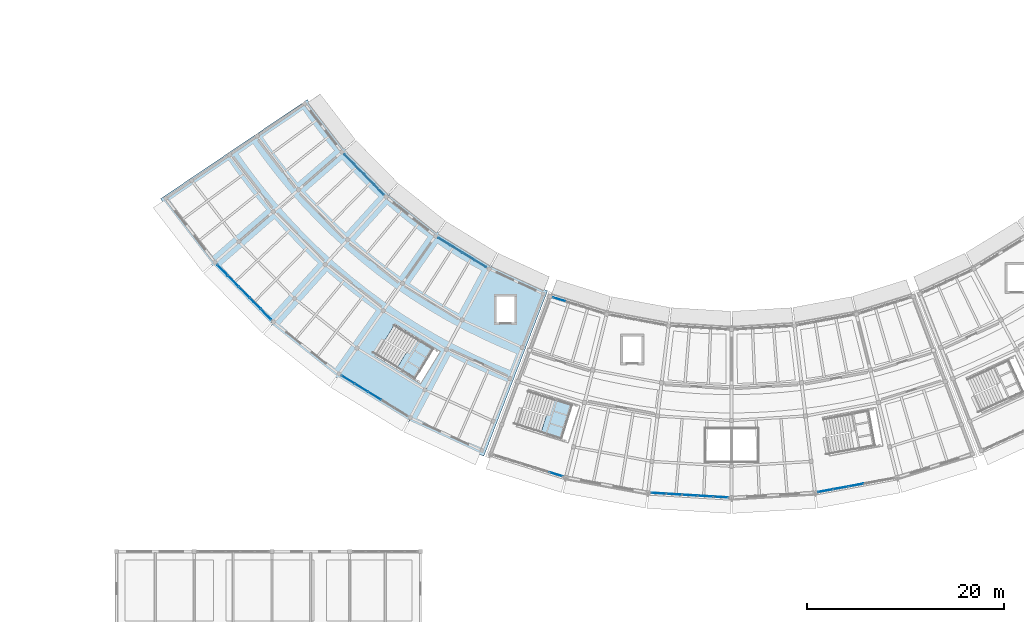
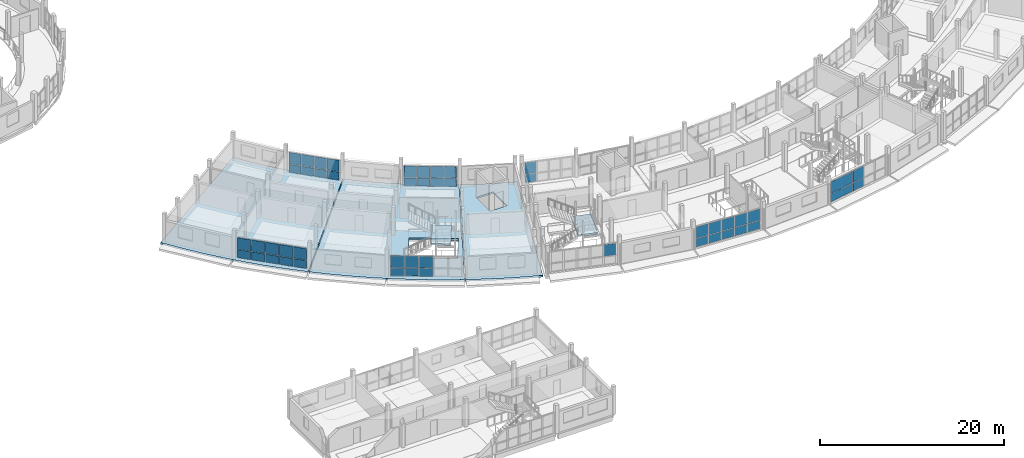
# One storey, part 46 of 77: 51 plates, 5 slabs, 10 elements without a shape of their own.
"""IFC4 building model written with IfcOpenShell, lengths in metres."""

from ifc_helpers import new_model, si_unit, direction, frame, origin, origin_2d, place, context, subcontext, project, spatial, polyline, rectangle, outline, extrude, material, layer, layer_set, type_object, element, aggregate, save


model = new_model("IFC4")

# Units and contexts
model_context = context("Model", 3, precision=1e-05, world=origin(), true_north=direction((0.0, 1.0)))
body_context = subcontext(model_context, "Body", "Model", "MODEL_VIEW")
ifc_project = project(units=[si_unit("LENGTHUNIT", "METRE"), si_unit("AREAUNIT", "SQUARE_METRE"), si_unit("VOLUMEUNIT", "CUBIC_METRE"), si_unit("PLANEANGLEUNIT", "RADIAN"), si_unit("MASSUNIT", "GRAM", prefix="KILO")], contexts=[model_context])

# Site, building, storey
site_placement = place(None, origin())
site = spatial("IfcSite", under=ifc_project, at=site_placement, CompositionType="ELEMENT")
building_placement = place(site_placement, origin())
building = spatial("IfcBuilding", under=site, at=building_placement, Name="Caldaven Crescent School", CompositionType="ELEMENT")
storey_placement = place(building_placement, frame((0.0, 0.0, 4.419921875)))
storey = spatial("IfcBuildingStorey", under=building, at=storey_placement, Name="L01", CompositionType="ELEMENT", Elevation=4.419921875)

# Curtain wall, plates
ifc_material_1 = material(Name="Anodised aluminium AA 6063-T6 and low-E double glazing", Category="aluminium")
ifc_layer_1 = layer(ifc_material_1, 0.2099609375)
ifc_layer_set_1 = layer_set([ifc_layer_1], Name="Anodised aluminium AA 6063-T6 and low-E double glazing")
curtain_wall_type_1 = type_object("IfcCurtainWallType", Name="CW-SYS3", PredefinedType="NOTDEFINED", material=ifc_layer_set_1)
curtain_wall_1_placement = place(storey_placement, origin())
curtain_wall_1 = element("IfcCurtainWall", 1, at=curtain_wall_1_placement, inside=storey, type_object=curtain_wall_type_1, Name="CW-L01-120", PredefinedType="NOTDEFINED")
ifc_material_2 = material(Name="Tempered low-E double glazing IGU", Category="glass")
ifc_layer_2 = layer(ifc_material_2, 0.02587890625)
ifc_layer_set_2 = layer_set([ifc_layer_2], Name="Tempered low-E double glazing IGU")
plate_type_1 = type_object("IfcPlateType", Name="PLT-CWP01", PredefinedType="CURTAIN_PANEL", material=ifc_layer_set_2)
plate_1_placement = place(storey_placement, frame((49.04931640625, 38.450927734375, 0.06005859375), z_axis=(0.0, 0.0, 1.0), x_axis=(0.852639676124, -0.522499361435, 0.0)))
plate_1 = element("IfcPlate", 2, at=plate_1_placement, type_object=plate_type_1, Name="CW3 panel 1.1", PredefinedType="CURTAIN_PANEL", context=body_context, shape_type="SweptSolid", body=[
    extrude(rectangle(XDim=1.48828125, YDim=0.02587890625, at=origin_2d()), origin(), (0.0, 0.0, 1.0), 1.077880859375),
])
plate_2_placement = place(storey_placement, frame((49.04931640625, 38.450927734375, 1.197998046875), z_axis=(0.0, 0.0, 1.0), x_axis=(0.852639676124, -0.522499361435, 0.0)))
plate_2 = element("IfcPlate", 3, at=plate_2_placement, type_object=plate_type_1, Name="CW3 panel 1.2", PredefinedType="CURTAIN_PANEL", context=body_context, shape_type="SweptSolid", body=[
    extrude(rectangle(XDim=1.48828125, YDim=0.02587890625, at=origin_2d()), origin(), (0.0, 0.0, 1.0), 1.52197265625),
])
plate_3_placement = place(storey_placement, frame((50.38232421875, 37.63427734375, 0.06005859375), z_axis=(0.0, 0.0, 1.0), x_axis=(0.852639676124, -0.522499361435, 0.0)))
plate_3 = element("IfcPlate", 4, at=plate_3_placement, type_object=plate_type_1, Name="CW3 panel 2.1", PredefinedType="CURTAIN_PANEL", context=body_context, shape_type="SweptSolid", body=[
    extrude(rectangle(XDim=1.518310546875, YDim=0.02587890625, at=origin_2d()), origin(), (0.0, 0.0, 1.0), 1.077880859375),
])
plate_4_placement = place(storey_placement, frame((50.38232421875, 37.63427734375, 1.197998046875), z_axis=(0.0, 0.0, 1.0), x_axis=(0.852639676124, -0.522499361435, 0.0)))
plate_4 = element("IfcPlate", 5, at=plate_4_placement, type_object=plate_type_1, Name="CW3 panel 2.2", PredefinedType="CURTAIN_PANEL", context=body_context, shape_type="SweptSolid", body=[
    extrude(rectangle(XDim=1.518310546875, YDim=0.02587890625, at=origin_2d()), origin(), (0.0, 0.0, 1.0), 1.52197265625),
])
plate_5_placement = place(storey_placement, frame((51.72802734375, 36.8095703125, 0.06005859375), z_axis=(0.0, 0.0, 1.0), x_axis=(0.852639676124, -0.522499361435, 0.0)))
plate_5 = element("IfcPlate", 6, at=plate_5_placement, type_object=plate_type_1, Name="CW3 panel 3.1", PredefinedType="CURTAIN_PANEL", context=body_context, shape_type="SweptSolid", body=[
    extrude(rectangle(XDim=1.518310546875, YDim=0.02587890625, at=origin_2d()), origin(), (0.0, 0.0, 1.0), 1.077880859375),
])
plate_6_placement = place(storey_placement, frame((51.72802734375, 36.8095703125, 1.197998046875), z_axis=(0.0, 0.0, 1.0), x_axis=(0.852639676124, -0.522499361435, 0.0)))
plate_6 = element("IfcPlate", 7, at=plate_6_placement, type_object=plate_type_1, Name="CW3 panel 3.2", PredefinedType="CURTAIN_PANEL", context=body_context, shape_type="SweptSolid", body=[
    extrude(rectangle(XDim=1.518310546875, YDim=0.02587890625, at=origin_2d()), origin(), (0.0, 0.0, 1.0), 1.52197265625),
])
aggregate(curtain_wall_1, [plate_1, plate_2, plate_3, plate_4, plate_5, plate_6])

curtain_wall_2_placement = place(storey_placement, origin())
curtain_wall_2 = element("IfcCurtainWall", 8, at=curtain_wall_2_placement, inside=storey, type_object=curtain_wall_type_1, Name="CW-L01-121", PredefinedType="NOTDEFINED")
ifc_layer_3 = layer(ifc_material_2, 0.028076171875)
ifc_layer_set_3 = layer_set([ifc_layer_3], Name="Tempered low-E double glazing IGU")
plate_type_2 = type_object("IfcPlateType", Name="PLT-CWP02", PredefinedType="CURTAIN_PANEL", material=ifc_layer_set_3)
plate_7_placement = place(storey_placement, frame((70.49169921875, 46.609375, 0.06005859375), z_axis=(0.0, 0.0, 1.0), x_axis=(0.954746818344, -0.297419758694, 0.0)))
plate_7 = element("IfcPlate", 9, at=plate_7_placement, type_object=plate_type_2, Name="CW3 panel 1.1", PredefinedType="CURTAIN_PANEL", context=body_context, shape_type="SweptSolid", body=[
    extrude(rectangle(XDim=1.270751953125, YDim=0.028076171875, at=origin_2d()), origin(), (0.0, 0.0, 1.0), 1.077880859375),
])
plate_8_placement = place(storey_placement, frame((70.49169921875, 46.609375, 1.197998046875), z_axis=(0.0, 0.0, 1.0), x_axis=(0.954746818344, -0.297419758694, 0.0)))
plate_8 = element("IfcPlate", 10, at=plate_8_placement, type_object=plate_type_2, Name="CW3 panel 1.2", PredefinedType="CURTAIN_PANEL", context=body_context, shape_type="SweptSolid", body=[
    extrude(rectangle(XDim=1.270751953125, YDim=0.028076171875, at=origin_2d()), origin(), (0.0, 0.0, 1.0), 1.52197265625),
])
aggregate(curtain_wall_2, [plate_7, plate_8])

# Curtain wall, plate
ifc_layer_4 = layer(ifc_material_1, 0.169921875)
ifc_layer_set_4 = layer_set([ifc_layer_4], Name="Anodised aluminium AA 6063-T6 and low-E double glazing")
curtain_wall_type_2 = type_object("IfcCurtainWallType", Name="CW-SYS1", PredefinedType="NOTDEFINED", material=ifc_layer_set_4)
curtain_wall_3_placement = place(storey_placement, origin())
curtain_wall_3 = element("IfcCurtainWall", 11, at=curtain_wall_3_placement, inside=storey, type_object=curtain_wall_type_2, Name="CW-L01-122", PredefinedType="NOTDEFINED")
ifc_layer_5 = layer(ifc_material_2, 0.030029296875)
ifc_layer_set_5 = layer_set([ifc_layer_5], Name="Tempered low-E double glazing IGU")
plate_type_3 = type_object("IfcPlateType", Name="PLT-CWP03", PredefinedType="CURTAIN_PANEL", material=ifc_layer_set_5)
plate_9_placement = place(storey_placement, frame((70.163330078125, 28.830810546875, 1.20068359375), z_axis=(0.0, 0.0, 1.0), x_axis=(0.954746673802, -0.297420222689, 0.0)))
plate_9 = element("IfcPlate", 12, at=plate_9_placement, type_object=plate_type_3, Name="CW1 panel 5.2", PredefinedType="CURTAIN_PANEL", context=body_context, shape_type="SweptSolid", body=[
    extrude(rectangle(XDim=1.377685546875, YDim=0.030029296875, at=origin_2d()), origin(), (0.0, 0.0, 1.0), 1.514404296875),
])
aggregate(curtain_wall_3, [plate_9])

# Curtain wall, plates
curtain_wall_4_placement = place(storey_placement, origin())
curtain_wall_4 = element("IfcCurtainWall", 13, at=curtain_wall_4_placement, inside=storey, type_object=curtain_wall_type_1, Name="CW-L01-125", PredefinedType="NOTDEFINED")
ifc_layer_6 = layer(ifc_material_2, 0.035888671875)
ifc_layer_set_6 = layer_set([ifc_layer_6], Name="Tempered low-E double glazing IGU")
plate_type_4 = type_object("IfcPlateType", Name="PLT-CWP06", PredefinedType="CURTAIN_PANEL", material=ifc_layer_set_6)
plate_10_placement = place(storey_placement, frame((80.62744140625, 26.90087890625, 0.070068359375), z_axis=(0.0, 0.0, 1.0), x_axis=(0.998134766843, -0.061049055851, 0.0)))
plate_10 = element("IfcPlate", 14, at=plate_10_placement, type_object=plate_type_4, Name="CW3 panel 1.1", PredefinedType="CURTAIN_PANEL", context=body_context, shape_type="SweptSolid", body=[
    extrude(rectangle(XDim=1.48095703125, YDim=0.035888671875, at=origin_2d()), origin(), (0.0, 0.0, 1.0), 1.06298828125),
])
plate_11_placement = place(storey_placement, frame((80.62744140625, 26.90087890625, 1.203125), z_axis=(0.0, 0.0, 1.0), x_axis=(0.998134766843, -0.061049055851, 0.0)))
plate_11 = element("IfcPlate", 15, at=plate_11_placement, type_object=plate_type_4, Name="CW3 panel 1.2", PredefinedType="CURTAIN_PANEL", context=body_context, shape_type="SweptSolid", body=[
    extrude(rectangle(XDim=1.48095703125, YDim=0.035888671875, at=origin_2d()), origin(), (0.0, 0.0, 1.0), 1.507080078125),
])
plate_12_placement = place(storey_placement, frame((82.1865234375, 26.8056640625, 0.070068359375), z_axis=(0.0, 0.0, 1.0), x_axis=(0.998134766843, -0.061049055851, 0.0)))
plate_12 = element("IfcPlate", 16, at=plate_12_placement, type_object=plate_type_4, Name="CW3 panel 2.1", PredefinedType="CURTAIN_PANEL", context=body_context, shape_type="SweptSolid", body=[
    extrude(rectangle(XDim=1.513427734375, YDim=0.035888671875, at=origin_2d()), origin(), (0.0, 0.0, 1.0), 1.06298828125),
])
plate_13_placement = place(storey_placement, frame((82.1865234375, 26.8056640625, 1.203125), z_axis=(0.0, 0.0, 1.0), x_axis=(0.998134766843, -0.061049055851, 0.0)))
plate_13 = element("IfcPlate", 17, at=plate_13_placement, type_object=plate_type_4, Name="CW3 panel 2.2", PredefinedType="CURTAIN_PANEL", context=body_context, shape_type="SweptSolid", body=[
    extrude(rectangle(XDim=1.513427734375, YDim=0.035888671875, at=origin_2d()), origin(), (0.0, 0.0, 1.0), 1.507080078125),
])
plate_14_placement = place(storey_placement, frame((83.761962890625, 26.709228515625, 0.070068359375), z_axis=(0.0, 0.0, 1.0), x_axis=(0.998134766843, -0.061049055851, 0.0)))
plate_14 = element("IfcPlate", 18, at=plate_14_placement, type_object=plate_type_4, Name="CW3 panel 3.1", PredefinedType="CURTAIN_PANEL", context=body_context, shape_type="SweptSolid", body=[
    extrude(rectangle(XDim=1.513427734375, YDim=0.035888671875, at=origin_2d()), origin(), (0.0, 0.0, 1.0), 1.06298828125),
])
plate_15_placement = place(storey_placement, frame((83.761962890625, 26.709228515625, 1.203125), z_axis=(0.0, 0.0, 1.0), x_axis=(0.998134766843, -0.061049055851, 0.0)))
plate_15 = element("IfcPlate", 19, at=plate_15_placement, type_object=plate_type_4, Name="CW3 panel 3.2", PredefinedType="CURTAIN_PANEL", context=body_context, shape_type="SweptSolid", body=[
    extrude(rectangle(XDim=1.513427734375, YDim=0.035888671875, at=origin_2d()), origin(), (0.0, 0.0, 1.0), 1.507080078125),
])
plate_16_placement = place(storey_placement, frame((85.33740234375, 26.61279296875, 0.070068359375), z_axis=(0.0, 0.0, 1.0), x_axis=(0.998134766843, -0.061049055851, 0.0)))
plate_16 = element("IfcPlate", 20, at=plate_16_placement, type_object=plate_type_4, Name="CW3 panel 4.1", PredefinedType="CURTAIN_PANEL", context=body_context, shape_type="SweptSolid", body=[
    extrude(rectangle(XDim=1.513427734375, YDim=0.035888671875, at=origin_2d()), origin(), (0.0, 0.0, 1.0), 1.06298828125),
])
plate_17_placement = place(storey_placement, frame((85.33740234375, 26.61279296875, 1.203125), z_axis=(0.0, 0.0, 1.0), x_axis=(0.998134766843, -0.061049055851, 0.0)))
plate_17 = element("IfcPlate", 21, at=plate_17_placement, type_object=plate_type_4, Name="CW3 panel 4.2", PredefinedType="CURTAIN_PANEL", context=body_context, shape_type="SweptSolid", body=[
    extrude(rectangle(XDim=1.513427734375, YDim=0.035888671875, at=origin_2d()), origin(), (0.0, 0.0, 1.0), 1.507080078125),
])
plate_18_placement = place(storey_placement, frame((86.896728515625, 26.517578125, 0.070068359375), z_axis=(0.0, 0.0, 1.0), x_axis=(0.998134766843, -0.061049055851, 0.0)))
plate_18 = element("IfcPlate", 22, at=plate_18_placement, type_object=plate_type_4, Name="CW3 panel 5.1", PredefinedType="CURTAIN_PANEL", context=body_context, shape_type="SweptSolid", body=[
    extrude(rectangle(XDim=1.48095703125, YDim=0.035888671875, at=origin_2d()), origin(), (0.0, 0.0, 1.0), 1.06298828125),
])
plate_19_placement = place(storey_placement, frame((86.896728515625, 26.517578125, 1.203125), z_axis=(0.0, 0.0, 1.0), x_axis=(0.998134766843, -0.061049055851, 0.0)))
plate_19 = element("IfcPlate", 23, at=plate_19_placement, type_object=plate_type_4, Name="CW3 panel 5.2", PredefinedType="CURTAIN_PANEL", context=body_context, shape_type="SweptSolid", body=[
    extrude(rectangle(XDim=1.48095703125, YDim=0.035888671875, at=origin_2d()), origin(), (0.0, 0.0, 1.0), 1.507080078125),
])
aggregate(curtain_wall_4, [plate_10, plate_11, plate_12, plate_13, plate_14, plate_15, plate_16, plate_17, plate_18, plate_19])

curtain_wall_5_placement = place(storey_placement, origin())
curtain_wall_5 = element("IfcCurtainWall", 24, at=curtain_wall_5_placement, inside=storey, type_object=curtain_wall_type_2, Name="CW-L01-128", PredefinedType="NOTDEFINED")
ifc_layer_7 = layer(ifc_material_2, 0.0419921875)
ifc_layer_set_7 = layer_set([ifc_layer_7], Name="Tempered low-E double glazing IGU")
plate_type_5 = type_object("IfcPlateType", Name="PLT-CWP09", PredefinedType="CURTAIN_PANEL", material=ifc_layer_set_7)
plate_20_placement = place(storey_placement, frame((97.561767578125, 27.169677734375, 0.06005859375), z_axis=(0.0, 0.0, 1.0), x_axis=(0.983255029874, 0.182234865564, 0.0)))
plate_20 = element("IfcPlate", 25, at=plate_20_placement, type_object=plate_type_5, Name="CW1 panel 1.1", PredefinedType="CURTAIN_PANEL", context=body_context, shape_type="SweptSolid", body=[
    extrude(rectangle(XDim=1.48828125, YDim=0.0419921875, at=origin_2d()), origin(), (0.0, 0.0, 1.0), 1.077880859375),
])
plate_21_placement = place(storey_placement, frame((97.561767578125, 27.169677734375, 1.197998046875), z_axis=(0.0, 0.0, 1.0), x_axis=(0.983255029874, 0.182234865564, 0.0)))
plate_21 = element("IfcPlate", 26, at=plate_21_placement, type_object=plate_type_5, Name="CW1 panel 1.2", PredefinedType="CURTAIN_PANEL", context=body_context, shape_type="SweptSolid", body=[
    extrude(rectangle(XDim=1.48828125, YDim=0.0419921875, at=origin_2d()), origin(), (0.0, 0.0, 1.0), 1.52197265625),
])
plate_22_placement = place(storey_placement, frame((99.098876953125, 27.45458984375, 0.06005859375), z_axis=(0.0, 0.0, 1.0), x_axis=(0.983255029874, 0.182234865564, 0.0)))
plate_22 = element("IfcPlate", 27, at=plate_22_placement, type_object=plate_type_5, Name="CW1 panel 2.1", PredefinedType="CURTAIN_PANEL", context=body_context, shape_type="SweptSolid", body=[
    extrude(rectangle(XDim=1.518310546875, YDim=0.0419921875, at=origin_2d()), origin(), (0.0, 0.0, 1.0), 1.077880859375),
])
plate_23_placement = place(storey_placement, frame((99.098876953125, 27.45458984375, 1.197998046875), z_axis=(0.0, 0.0, 1.0), x_axis=(0.983255029874, 0.182234865564, 0.0)))
plate_23 = element("IfcPlate", 28, at=plate_23_placement, type_object=plate_type_5, Name="CW1 panel 2.2", PredefinedType="CURTAIN_PANEL", context=body_context, shape_type="SweptSolid", body=[
    extrude(rectangle(XDim=1.518310546875, YDim=0.0419921875, at=origin_2d()), origin(), (0.0, 0.0, 1.0), 1.52197265625),
])
plate_24_placement = place(storey_placement, frame((100.65087890625, 27.7421875, 0.06005859375), z_axis=(0.0, 0.0, 1.0), x_axis=(0.983255029874, 0.182234865564, 0.0)))
plate_24 = element("IfcPlate", 29, at=plate_24_placement, type_object=plate_type_5, Name="CW1 panel 3.1", PredefinedType="CURTAIN_PANEL", context=body_context, shape_type="SweptSolid", body=[
    extrude(rectangle(XDim=1.518310546875, YDim=0.0419921875, at=origin_2d()), origin(), (0.0, 0.0, 1.0), 1.077880859375),
])
plate_25_placement = place(storey_placement, frame((100.65087890625, 27.7421875, 1.197998046875), z_axis=(0.0, 0.0, 1.0), x_axis=(0.983255029874, 0.182234865564, 0.0)))
plate_25 = element("IfcPlate", 30, at=plate_25_placement, type_object=plate_type_5, Name="CW1 panel 3.2", PredefinedType="CURTAIN_PANEL", context=body_context, shape_type="SweptSolid", body=[
    extrude(rectangle(XDim=1.518310546875, YDim=0.0419921875, at=origin_2d()), origin(), (0.0, 0.0, 1.0), 1.52197265625),
])
aggregate(curtain_wall_5, [plate_20, plate_21, plate_22, plate_23, plate_24, plate_25])

curtain_wall_6_placement = place(storey_placement, origin())
curtain_wall_6 = element("IfcCurtainWall", 31, at=curtain_wall_6_placement, inside=storey, type_object=curtain_wall_type_1, Name="CW-L01-117", PredefinedType="NOTDEFINED")
ifc_material_3 = material(Name="Insulated bronze aluminium spandrel panel", Category="aluminium")
ifc_layer_8 = layer(ifc_material_3, 0.068115234375)
ifc_layer_set_8 = layer_set([ifc_layer_8], Name="Insulated bronze aluminium spandrel panel")
plate_type_6 = type_object("IfcPlateType", Name="PLT-CWP22", PredefinedType="CURTAIN_PANEL", material=ifc_layer_set_8)
plate_26_placement = place(storey_placement, frame((49.146484375, 60.845703125, 0.06494140625), z_axis=(0.0, 0.0, 1.0), x_axis=(0.700909101261, -0.713250609372, 0.0)))
plate_26 = element("IfcPlate", 32, at=plate_26_placement, type_object=plate_type_6, Name="CW3 panel 1.1", PredefinedType="CURTAIN_PANEL", context=body_context, shape_type="SweptSolid", body=[
    extrude(rectangle(XDim=1.345947265625, YDim=0.068115234375, at=origin_2d()), origin(), (0.0, 0.0, 1.0), 1.070556640625),
])
plate_27_placement = place(storey_placement, frame((49.146484375, 60.845703125, 1.20068359375), z_axis=(0.0, 0.0, 1.0), x_axis=(0.700909101261, -0.713250609372, 0.0)))
plate_27 = element("IfcPlate", 33, at=plate_27_placement, type_object=plate_type_6, Name="CW3 panel 1.2", PredefinedType="CURTAIN_PANEL", context=body_context, shape_type="SweptSolid", body=[
    extrude(rectangle(XDim=1.345947265625, YDim=0.068115234375, at=origin_2d()), origin(), (0.0, 0.0, 1.0), 1.514404296875),
])
plate_28_placement = place(storey_placement, frame((50.1513671875, 59.8232421875, 0.06494140625), z_axis=(0.0, 0.0, 1.0), x_axis=(0.700909101261, -0.713250609372, 0.0)))
plate_28 = element("IfcPlate", 34, at=plate_28_placement, type_object=plate_type_6, Name="CW3 panel 2.1", PredefinedType="CURTAIN_PANEL", context=body_context, shape_type="SweptSolid", body=[
    extrude(rectangle(XDim=1.381103515625, YDim=0.068115234375, at=origin_2d()), origin(), (0.0, 0.0, 1.0), 1.070556640625),
])
plate_29_placement = place(storey_placement, frame((50.1513671875, 59.8232421875, 1.20068359375), z_axis=(0.0, 0.0, 1.0), x_axis=(0.700909101261, -0.713250609372, 0.0)))
plate_29 = element("IfcPlate", 35, at=plate_29_placement, type_object=plate_type_6, Name="CW3 panel 2.2", PredefinedType="CURTAIN_PANEL", context=body_context, shape_type="SweptSolid", body=[
    extrude(rectangle(XDim=1.381103515625, YDim=0.068115234375, at=origin_2d()), origin(), (0.0, 0.0, 1.0), 1.514404296875),
])
plate_30_placement = place(storey_placement, frame((51.168212890625, 58.788330078125, 0.06494140625), z_axis=(0.0, 0.0, 1.0), x_axis=(0.700909101261, -0.713250609372, 0.0)))
plate_30 = element("IfcPlate", 36, at=plate_30_placement, type_object=plate_type_6, Name="CW3 panel 3.1", PredefinedType="CURTAIN_PANEL", context=body_context, shape_type="SweptSolid", body=[
    extrude(rectangle(XDim=1.381103515625, YDim=0.068115234375, at=origin_2d()), origin(), (0.0, 0.0, 1.0), 1.070556640625),
])
plate_31_placement = place(storey_placement, frame((51.168212890625, 58.788330078125, 1.20068359375), z_axis=(0.0, 0.0, 1.0), x_axis=(0.700909101261, -0.713250609372, 0.0)))
plate_31 = element("IfcPlate", 37, at=plate_31_placement, type_object=plate_type_6, Name="CW3 panel 3.2", PredefinedType="CURTAIN_PANEL", context=body_context, shape_type="SweptSolid", body=[
    extrude(rectangle(XDim=1.381103515625, YDim=0.068115234375, at=origin_2d()), origin(), (0.0, 0.0, 1.0), 1.514404296875),
])
plate_32_placement = place(storey_placement, frame((52.173095703125, 57.765869140625, 0.06494140625), z_axis=(0.0, 0.0, 1.0), x_axis=(0.700909101261, -0.713250609372, 0.0)))
plate_32 = element("IfcPlate", 38, at=plate_32_placement, type_object=plate_type_6, Name="CW3 panel 4.1", PredefinedType="CURTAIN_PANEL", context=body_context, shape_type="SweptSolid", body=[
    extrude(rectangle(XDim=1.345947265625, YDim=0.068115234375, at=origin_2d()), origin(), (0.0, 0.0, 1.0), 1.070556640625),
])
plate_33_placement = place(storey_placement, frame((52.173095703125, 57.765869140625, 1.20068359375), z_axis=(0.0, 0.0, 1.0), x_axis=(0.700909101261, -0.713250609372, 0.0)))
plate_33 = element("IfcPlate", 39, at=plate_33_placement, type_object=plate_type_6, Name="CW3 panel 4.2", PredefinedType="CURTAIN_PANEL", context=body_context, shape_type="SweptSolid", body=[
    extrude(rectangle(XDim=1.345947265625, YDim=0.068115234375, at=origin_2d()), origin(), (0.0, 0.0, 1.0), 1.514404296875),
])
aggregate(curtain_wall_6, [plate_26, plate_27, plate_28, plate_29, plate_30, plate_31, plate_32, plate_33])

curtain_wall_7_placement = place(storey_placement, origin())
curtain_wall_7 = element("IfcCurtainWall", 40, at=curtain_wall_7_placement, inside=storey, type_object=curtain_wall_type_2, Name="CW-L01-118", PredefinedType="NOTDEFINED")
ifc_layer_9 = layer(ifc_material_3, 0.070068359375)
ifc_layer_set_9 = layer_set([ifc_layer_9], Name="Insulated bronze aluminium spandrel panel")
plate_type_7 = type_object("IfcPlateType", Name="PLT-CWP23", PredefinedType="CURTAIN_PANEL", material=ifc_layer_set_9)
plate_34_placement = place(storey_placement, frame((36.28466796875, 49.582763671875, 0.070068359375), z_axis=(0.0, 0.0, 1.0), x_axis=(0.700908932745, -0.713250774972, 0.0)))
plate_34 = element("IfcPlate", 41, at=plate_34_placement, type_object=plate_type_7, Name="CW1 panel 1.1", PredefinedType="CURTAIN_PANEL", context=body_context, shape_type="SweptSolid", body=[
    extrude(rectangle(XDim=1.48095703125, YDim=0.070068359375, at=origin_2d()), origin(), (0.0, 0.0, 1.0), 1.06298828125),
])
plate_35_placement = place(storey_placement, frame((36.28466796875, 49.582763671875, 1.203125), z_axis=(0.0, 0.0, 1.0), x_axis=(0.700908932745, -0.713250774972, 0.0)))
plate_35 = element("IfcPlate", 42, at=plate_35_placement, type_object=plate_type_7, Name="CW1 panel 1.2", PredefinedType="CURTAIN_PANEL", context=body_context, shape_type="SweptSolid", body=[
    extrude(rectangle(XDim=1.48095703125, YDim=0.070068359375, at=origin_2d()), origin(), (0.0, 0.0, 1.0), 1.507080078125),
])
plate_36_placement = place(storey_placement, frame((37.379638671875, 48.468505859375, 0.070068359375), z_axis=(0.0, 0.0, 1.0), x_axis=(0.700908932745, -0.713250774972, 0.0)))
plate_36 = element("IfcPlate", 43, at=plate_36_placement, type_object=plate_type_7, Name="CW1 panel 2.1", PredefinedType="CURTAIN_PANEL", context=body_context, shape_type="SweptSolid", body=[
    extrude(rectangle(XDim=1.513427734375, YDim=0.070068359375, at=origin_2d()), origin(), (0.0, 0.0, 1.0), 1.06298828125),
])
plate_37_placement = place(storey_placement, frame((37.379638671875, 48.468505859375, 1.203125), z_axis=(0.0, 0.0, 1.0), x_axis=(0.700908932745, -0.713250774972, 0.0)))
plate_37 = element("IfcPlate", 44, at=plate_37_placement, type_object=plate_type_7, Name="CW1 panel 2.2", PredefinedType="CURTAIN_PANEL", context=body_context, shape_type="SweptSolid", body=[
    extrude(rectangle(XDim=1.513427734375, YDim=0.070068359375, at=origin_2d()), origin(), (0.0, 0.0, 1.0), 1.507080078125),
])
plate_38_placement = place(storey_placement, frame((38.48583984375, 47.3427734375, 0.070068359375), z_axis=(0.0, 0.0, 1.0), x_axis=(0.700908932745, -0.713250774972, 0.0)))
plate_38 = element("IfcPlate", 45, at=plate_38_placement, type_object=plate_type_7, Name="CW1 panel 3.1", PredefinedType="CURTAIN_PANEL", context=body_context, shape_type="SweptSolid", body=[
    extrude(rectangle(XDim=1.513427734375, YDim=0.070068359375, at=origin_2d()), origin(), (0.0, 0.0, 1.0), 1.06298828125),
])
plate_39_placement = place(storey_placement, frame((38.48583984375, 47.3427734375, 1.203125), z_axis=(0.0, 0.0, 1.0), x_axis=(0.700908932745, -0.713250774972, 0.0)))
plate_39 = element("IfcPlate", 46, at=plate_39_placement, type_object=plate_type_7, Name="CW1 panel 3.2", PredefinedType="CURTAIN_PANEL", context=body_context, shape_type="SweptSolid", body=[
    extrude(rectangle(XDim=1.513427734375, YDim=0.070068359375, at=origin_2d()), origin(), (0.0, 0.0, 1.0), 1.507080078125),
])
plate_40_placement = place(storey_placement, frame((39.59228515625, 46.216796875, 0.070068359375), z_axis=(0.0, 0.0, 1.0), x_axis=(0.700908932745, -0.713250774972, 0.0)))
plate_40 = element("IfcPlate", 47, at=plate_40_placement, type_object=plate_type_7, Name="CW1 panel 4.1", PredefinedType="CURTAIN_PANEL", context=body_context, shape_type="SweptSolid", body=[
    extrude(rectangle(XDim=1.513427734375, YDim=0.070068359375, at=origin_2d()), origin(), (0.0, 0.0, 1.0), 1.06298828125),
])
plate_41_placement = place(storey_placement, frame((39.59228515625, 46.216796875, 1.203125), z_axis=(0.0, 0.0, 1.0), x_axis=(0.700908932745, -0.713250774972, 0.0)))
plate_41 = element("IfcPlate", 48, at=plate_41_placement, type_object=plate_type_7, Name="CW1 panel 4.2", PredefinedType="CURTAIN_PANEL", context=body_context, shape_type="SweptSolid", body=[
    extrude(rectangle(XDim=1.513427734375, YDim=0.070068359375, at=origin_2d()), origin(), (0.0, 0.0, 1.0), 1.507080078125),
])
plate_42_placement = place(storey_placement, frame((40.687255859375, 45.102783203125, 0.070068359375), z_axis=(0.0, 0.0, 1.0), x_axis=(0.700908932745, -0.713250774972, 0.0)))
plate_42 = element("IfcPlate", 49, at=plate_42_placement, type_object=plate_type_7, Name="CW1 panel 5.1", PredefinedType="CURTAIN_PANEL", context=body_context, shape_type="SweptSolid", body=[
    extrude(rectangle(XDim=1.48095703125, YDim=0.070068359375, at=origin_2d()), origin(), (0.0, 0.0, 1.0), 1.06298828125),
])
plate_43_placement = place(storey_placement, frame((40.687255859375, 45.102783203125, 1.203125), z_axis=(0.0, 0.0, 1.0), x_axis=(0.700908932745, -0.713250774972, 0.0)))
plate_43 = element("IfcPlate", 50, at=plate_43_placement, type_object=plate_type_7, Name="CW1 panel 5.2", PredefinedType="CURTAIN_PANEL", context=body_context, shape_type="SweptSolid", body=[
    extrude(rectangle(XDim=1.48095703125, YDim=0.070068359375, at=origin_2d()), origin(), (0.0, 0.0, 1.0), 1.507080078125),
])
aggregate(curtain_wall_7, [plate_34, plate_35, plate_36, plate_37, plate_38, plate_39, plate_40, plate_41, plate_42, plate_43])

curtain_wall_8_placement = place(storey_placement, origin())
curtain_wall_8 = element("IfcCurtainWall", 51, at=curtain_wall_8_placement, inside=storey, type_object=curtain_wall_type_2, Name="CW-L01-119", PredefinedType="NOTDEFINED")
ifc_layer_10 = layer(ifc_material_3, 0.072021484375)
ifc_layer_set_10 = layer_set([ifc_layer_10], Name="Insulated bronze aluminium spandrel panel")
plate_type_8 = type_object("IfcPlateType", Name="PLT-CWP24", PredefinedType="CURTAIN_PANEL", material=ifc_layer_set_10)
plate_44_placement = place(storey_placement, frame((58.80419921875, 52.4912109375, 0.070068359375), z_axis=(0.0, 0.0, 1.0), x_axis=(0.852639656854, -0.522499392879, 0.0)))
plate_44 = element("IfcPlate", 52, at=plate_44_placement, type_object=plate_type_8, Name="CW1 panel 1.1", PredefinedType="CURTAIN_PANEL", context=body_context, shape_type="SweptSolid", body=[
    extrude(rectangle(XDim=1.353515625, YDim=0.072021484375, at=origin_2d()), origin(), (0.0, 0.0, 1.0), 1.06298828125),
])
plate_45_placement = place(storey_placement, frame((58.80419921875, 52.4912109375, 1.203125), z_axis=(0.0, 0.0, 1.0), x_axis=(0.852639656854, -0.522499392879, 0.0)))
plate_45 = element("IfcPlate", 53, at=plate_45_placement, type_object=plate_type_8, Name="CW1 panel 1.2", PredefinedType="CURTAIN_PANEL", context=body_context, shape_type="SweptSolid", body=[
    extrude(rectangle(XDim=1.353515625, YDim=0.072021484375, at=origin_2d()), origin(), (0.0, 0.0, 1.0), 1.507080078125),
])
plate_46_placement = place(storey_placement, frame((60.027587890625, 51.741455078125, 0.070068359375), z_axis=(0.0, 0.0, 1.0), x_axis=(0.852639656854, -0.522499392879, 0.0)))
plate_46 = element("IfcPlate", 54, at=plate_46_placement, type_object=plate_type_8, Name="CW1 panel 2.1", PredefinedType="CURTAIN_PANEL", context=body_context, shape_type="SweptSolid", body=[
    extrude(rectangle(XDim=1.385986328125, YDim=0.072021484375, at=origin_2d()), origin(), (0.0, 0.0, 1.0), 1.06298828125),
])
plate_47_placement = place(storey_placement, frame((60.027587890625, 51.741455078125, 1.203125), z_axis=(0.0, 0.0, 1.0), x_axis=(0.852639656854, -0.522499392879, 0.0)))
plate_47 = element("IfcPlate", 55, at=plate_47_placement, type_object=plate_type_8, Name="CW1 panel 2.2", PredefinedType="CURTAIN_PANEL", context=body_context, shape_type="SweptSolid", body=[
    extrude(rectangle(XDim=1.385986328125, YDim=0.072021484375, at=origin_2d()), origin(), (0.0, 0.0, 1.0), 1.507080078125),
])
plate_48_placement = place(storey_placement, frame((61.2646484375, 50.9833984375, 0.070068359375), z_axis=(0.0, 0.0, 1.0), x_axis=(0.852639656854, -0.522499392879, 0.0)))
plate_48 = element("IfcPlate", 56, at=plate_48_placement, type_object=plate_type_8, Name="CW1 panel 3.1", PredefinedType="CURTAIN_PANEL", context=body_context, shape_type="SweptSolid", body=[
    extrude(rectangle(XDim=1.385986328125, YDim=0.072021484375, at=origin_2d()), origin(), (0.0, 0.0, 1.0), 1.06298828125),
])
plate_49_placement = place(storey_placement, frame((61.2646484375, 50.9833984375, 1.203125), z_axis=(0.0, 0.0, 1.0), x_axis=(0.852639656854, -0.522499392879, 0.0)))
plate_49 = element("IfcPlate", 57, at=plate_49_placement, type_object=plate_type_8, Name="CW1 panel 3.2", PredefinedType="CURTAIN_PANEL", context=body_context, shape_type="SweptSolid", body=[
    extrude(rectangle(XDim=1.385986328125, YDim=0.072021484375, at=origin_2d()), origin(), (0.0, 0.0, 1.0), 1.507080078125),
])
plate_50_placement = place(storey_placement, frame((62.488037109375, 50.233642578125, 0.070068359375), z_axis=(0.0, 0.0, 1.0), x_axis=(0.852639656854, -0.522499392879, 0.0)))
plate_50 = element("IfcPlate", 58, at=plate_50_placement, type_object=plate_type_8, Name="CW1 panel 4.1", PredefinedType="CURTAIN_PANEL", context=body_context, shape_type="SweptSolid", body=[
    extrude(rectangle(XDim=1.353515625, YDim=0.072021484375, at=origin_2d()), origin(), (0.0, 0.0, 1.0), 1.06298828125),
])
plate_51_placement = place(storey_placement, frame((62.488037109375, 50.233642578125, 1.203125), z_axis=(0.0, 0.0, 1.0), x_axis=(0.852639656854, -0.522499392879, 0.0)))
plate_51 = element("IfcPlate", 59, at=plate_51_placement, type_object=plate_type_8, Name="CW1 panel 4.2", PredefinedType="CURTAIN_PANEL", context=body_context, shape_type="SweptSolid", body=[
    extrude(rectangle(XDim=1.353515625, YDim=0.072021484375, at=origin_2d()), origin(), (0.0, 0.0, 1.0), 1.507080078125),
])
aggregate(curtain_wall_8, [plate_44, plate_45, plate_46, plate_47, plate_48, plate_49, plate_50, plate_51])

# Slabs
ifc_material_4 = material(Name="Cross-laminated timber CLT C24", Category="wood")
ifc_layer_11 = layer(ifc_material_4, 0.219970703125)
ifc_layer_set_11 = layer_set([ifc_layer_11], Name="Cross-laminated timber CLT C24")
slab_type_1 = type_object("IfcSlabType", Name="SLB-FS2", PredefinedType="FLOOR", material=ifc_layer_set_11)
slab_1_placement = place(storey_placement, frame((0.0, 0.0, -0.219970703125)))
element("IfcSlab", 60, at=slab_1_placement, inside=storey, type_object=slab_type_1, Name="SLB-V4W-L01-B00", PredefinedType="FLOOR", context=body_context, shape_type="SweptSolid", body=[
    extrude(outline(polyline([(29.980224609375, 56.83740234375), (31.373046875, 54.84912109375), (32.834228515625, 52.91015625), (34.361572265625, 51.023193359375), (35.95361328125, 49.190185546875), (37.608154296875, 47.413330078125), (39.3232421875, 45.6953125), (41.096923828125, 44.03759765625), (53.15771484375, 57.399169921875), (51.840087890625, 58.630615234375), (50.56591796875, 59.9072265625), (49.3369140625, 61.22705078125), (48.154296875, 62.588623046875), (47.019775390625, 63.990478515625), (45.934326171875, 65.4306640625), (44.899658203125, 66.90771484375), (29.980224609375, 56.83740234375)])), origin(), (0.0, 0.0, 1.0), 0.219970703125),
])
slab_2_placement = place(storey_placement, frame((0.0, 0.0, -0.219970703125)))
element("IfcSlab", 61, at=slab_2_placement, inside=storey, type_object=slab_type_1, Name="SLB-V4W-L01-B02", PredefinedType="FLOOR", context=body_context, shape_type="SweptSolid", body=[
    extrude(outline(polyline([(41.177978515625, 43.964599609375), (43.010498046875, 42.3720703125), (44.897216796875, 40.84423828125), (46.835693359375, 39.3828125), (48.823974609375, 37.989501953125), (50.859130859375, 36.665771484375), (52.93896484375, 35.41357421875), (55.06103515625, 34.234130859375), (63.531005859375, 50.11669921875), (61.95458984375, 50.992919921875), (60.40966796875, 51.923095703125), (58.897705078125, 52.906494140625), (57.4208984375, 53.94140625), (55.980712890625, 55.027099609375), (54.579345703125, 56.162109375), (53.2177734375, 57.344970703125), (41.177978515625, 43.964599609375)]), holes=[polyline([(51.8125, 40.874755859375), (53.78759765625, 44.09765625), (58.359375, 41.2958984375), (56.38427734375, 38.072998046875), (51.8125, 40.874755859375)])]), origin(), (0.0, 0.0, 1.0), 0.219970703125),
])
slab_3_placement = place(storey_placement, frame((0.0, 0.0, -0.219970703125)))
element("IfcSlab", 62, at=slab_3_placement, inside=storey, type_object=slab_type_1, Name="SLB-V4W-L01-B04", PredefinedType="FLOOR", context=body_context, shape_type="SweptSolid", body=[
    extrude(outline(polyline([(55.1572265625, 34.182861328125), (57.035888671875, 33.220703125), (58.94287109375, 32.31591796875), (60.8759765625, 31.46875), (62.833984375, 30.68017578125), (69.30517578125, 47.476806640625), (67.850830078125, 48.0625), (66.41455078125, 48.691650390625), (64.998046875, 49.364013671875), (63.6025390625, 50.07861328125), (55.1572265625, 34.182861328125)]), holes=[polyline([(63.97607421875, 44.088134765625), (63.97607421875, 47.088134765625), (66.075927734375, 47.088134765625), (66.075927734375, 44.088134765625), (63.97607421875, 44.088134765625)])]), origin(), (0.0, 0.0, 1.0), 0.219970703125),
])

# Stair, slab
ifc_material_5 = material(Name="Precast concrete C30/37", Category="concrete")
stair_type_1 = type_object("IfcStairType", Name="STR-S5", PredefinedType="TWO_STRAIGHT_RUN_STAIR", material=ifc_material_5)
stair_1_placement = place(storey_placement, origin())
stair_1 = element("IfcStair", 63, at=stair_1_placement, inside=storey, type_object=stair_type_1, Name="STAIR-ST1-L01", PredefinedType="TWO_STRAIGHT_RUN_STAIR")
ifc_material_6 = material(Name="Concrete C30/37", Category="concrete")
ifc_layer_12 = layer(ifc_material_6, 0.195068359375)
ifc_layer_set_12 = layer_set([ifc_layer_12], Name="Concrete C30/37")
slab_type_2 = type_object("IfcSlabType", Name="SLB-LND2", PredefinedType="LANDING", material=ifc_layer_set_12)
slab_4_placement = place(storey_placement, frame((0.0, 0.0, 1.675048828125)))
slab_4 = element("IfcSlab", 64, at=slab_4_placement, type_object=slab_type_2, Name="ST1-L01 landing 1", PredefinedType="LANDING", context=body_context, shape_type="SweptSolid", body=[
    extrude(outline(polyline([(54.0048828125, 39.66015625), (55.844970703125, 38.532470703125), (57.705078125, 41.56787109375), (55.864990234375, 42.695556640625), (54.0048828125, 39.66015625)])), origin(), (0.0, 0.0, 1.0), 0.195068359375),
])
aggregate(stair_1, [slab_4])

stair_type_2 = type_object("IfcStairType", Name="STR-S6", PredefinedType="TWO_STRAIGHT_RUN_STAIR", material=ifc_material_5)
stair_2_placement = place(storey_placement, origin())
stair_2 = element("IfcStair", 65, at=stair_2_placement, inside=storey, type_object=stair_type_2, Name="STAIR-ST2-L01", PredefinedType="TWO_STRAIGHT_RUN_STAIR")
slab_5_placement = place(storey_placement, frame((0.0, 0.0, 1.675048828125)))
slab_5 = element("IfcSlab", 66, at=slab_5_placement, type_object=slab_type_2, Name="ST2-L01 landing 1", PredefinedType="LANDING", context=body_context, shape_type="SweptSolid", body=[
    extrude(outline(polyline([(68.632568359375, 33.0712890625), (70.728759765625, 32.410400390625), (71.823486328125, 35.8818359375), (69.727294921875, 36.54296875), (68.632568359375, 33.0712890625)])), origin(), (0.0, 0.0, 1.0), 0.195068359375),
])
aggregate(stair_2, [slab_5])

save(model, "model.ifc")
